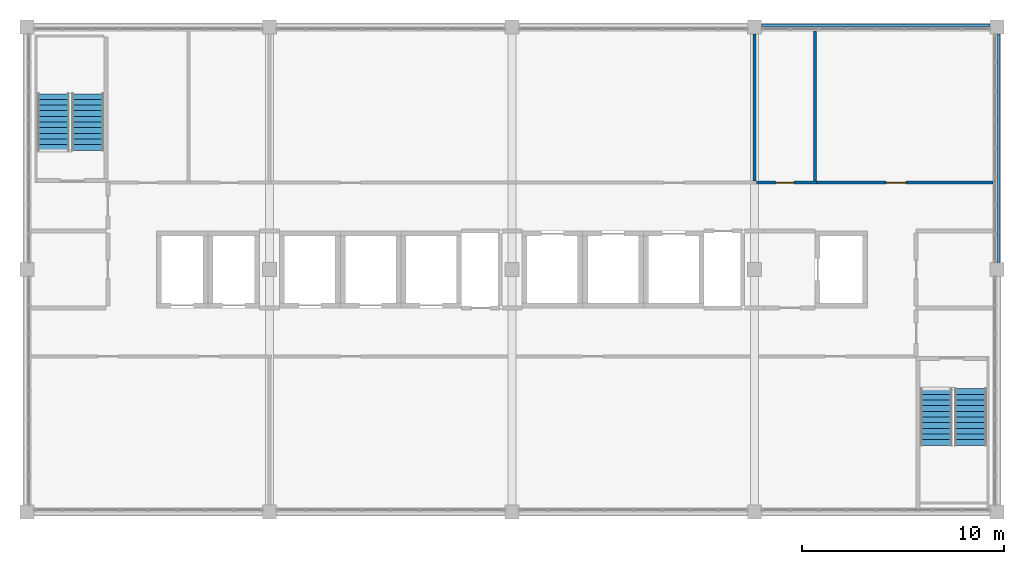
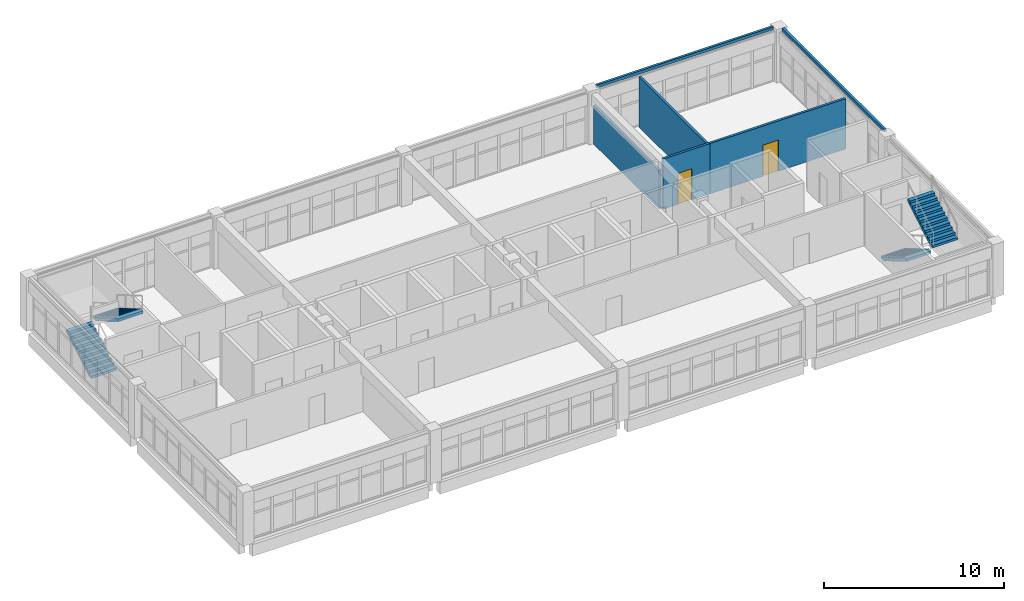
# One storey, part 15 of 16: 6 walls, 4 stair flights, 2 doors, 2 openings, 2 elements without a shape of their own.
"""IFC4 building model written with IfcOpenShell, lengths in metres."""

import ifcopenshell
import ifcopenshell.guid

model = None  # the IFC model being written
_history = None  # IfcOwnerHistory: only IFC2X3 demands one
_inside = {}  # id of a spatial element -> (the spatial element, [elements in it])
_under = {}  # id of a project, library or spatial element -> (it, [spatial elements below it])
_declared = {}  # id of a project -> (the project, [libraries it declares])
_typed = {}  # id of a type object -> (the type object, [elements of that type])
_made_of = {}  # id of a material, layer set ... -> (it, [elements and type objects made of it])


def new_model(schema):
    """Start an empty IFC model of exactly this schema.

    Asked for "IFC4X3", IfcOpenShell would pick the latest addendum, in which some entities
    have other attributes; the version numbers below select the first issue.
    IFC2X3 requires an IfcOwnerHistory on every rooted entity: one is made here for all.
    """
    global model, _history
    if schema == "IFC4X3":
        model = ifcopenshell.file(schema_version=(4, 3, 0, 0))
    else:
        model = ifcopenshell.file(schema=schema)
    _inside.clear()
    _under.clear()
    _declared.clear()
    _typed.clear()
    _made_of.clear()
    _history = None
    if model.schema == "IFC2X3":
        org = make("IfcOrganization", Name="unknown")
        user = make(
            "IfcPersonAndOrganization",
            ThePerson=make("IfcPerson", FamilyName="unknown"),
            TheOrganization=org,
        )
        app = make(
            "IfcApplication",
            ApplicationDeveloper=org,
            Version="unknown",
            ApplicationFullName="unknown",
            ApplicationIdentifier="unknown",
        )
        _history = make(
            "IfcOwnerHistory",
            OwningUser=user,
            OwningApplication=app,
            ChangeAction="ADDED",
            CreationDate=0,
        )
    return model


def make(cls, **values):
    """One entity of the class cls with the attributes given. An attribute that is None is left unset."""
    return model.create_entity(
        cls, **{name: value for name, value in values.items() if value is not None}
    )


def rooted(cls, **values):
    """An entity with a GlobalId (a new one), such as an element, a storey or a relation."""
    return make(cls, GlobalId=ifcopenshell.guid.new(), OwnerHistory=_history, **values)


def si_unit(unit_type, name, prefix=None):
    """IfcSIUnit, for example si_unit("LENGTHUNIT", "METRE", prefix="MILLI")."""
    return make("IfcSIUnit", UnitType=unit_type, Prefix=prefix, Name=name)


def assignment(units):
    """IfcUnitAssignment: the units of a project."""
    return None if units is None else make("IfcUnitAssignment", Units=units)


def point(xyz):
    """IfcCartesianPoint."""
    return None if xyz is None else make("IfcCartesianPoint", Coordinates=xyz)


def direction(xyz):
    """IfcDirection."""
    return None if xyz is None else make("IfcDirection", DirectionRatios=xyz)


def frame(location, z_axis=None, x_axis=None):
    """IfcAxis2Placement3D, a coordinate frame: its origin and axes. An axis left out is left unset."""
    return make(
        "IfcAxis2Placement3D",
        Location=point(location),
        Axis=direction(z_axis),
        RefDirection=direction(x_axis),
    )


def frame_2d(location, x_axis=None):
    """IfcAxis2Placement2D, a coordinate frame in the plane: its origin and x axis."""
    return make(
        "IfcAxis2Placement2D", Location=point(location), RefDirection=direction(x_axis)
    )


def origin():
    """The frame at (0, 0, 0) with its axes left unset."""
    return frame((0.0, 0.0, 0.0))


def place(relative_to, where):
    """IfcLocalPlacement: puts the frame where relative to a parent placement (None: the world)."""
    return make(
        "IfcLocalPlacement", PlacementRelTo=relative_to, RelativePlacement=where
    )


def context(
    kind, dimensions, precision=None, world=None, true_north=None, identifier=None
):
    """IfcGeometricRepresentationContext, for example the 3D "Model" context."""
    return make(
        "IfcGeometricRepresentationContext",
        ContextIdentifier=identifier,
        ContextType=kind,
        CoordinateSpaceDimension=dimensions,
        Precision=precision,
        WorldCoordinateSystem=world,
        TrueNorth=true_north,
    )


def subcontext(parent, identifier, kind, view, scale=None):
    """IfcGeometricRepresentationSubContext, for example "Body" below "Model"."""
    return make(
        "IfcGeometricRepresentationSubContext",
        ContextIdentifier=identifier,
        ContextType=kind,
        ParentContext=parent,
        TargetScale=scale,
        TargetView=view,
    )


def project(units=None, contexts=None):
    """IfcProject with its units and contexts."""
    return rooted(
        "IfcProject",
        Name="project",
        RepresentationContexts=contexts,
        UnitsInContext=assignment(units),
    )


def spatial(cls, under=None, at=None, **own):
    """A site, building, storey or space (cls), placed at a placement, below another one or the project."""
    s = rooted(cls, ObjectPlacement=at, **own)
    if under is not None:
        _under.setdefault(under.id(), (under, []))[1].append(s)
    return s


def polyline(points):
    """IfcPolyline through the points."""
    return make("IfcPolyline", Points=[point(p) for p in points])


def profile(cls, at=None, kind="AREA", **sizes):
    """A parametric profile (cls). Its sizes go by their IFC names, for example OverallWidth=200.0."""
    return make(cls, ProfileType=kind, Position=at, **sizes)


def rectangle(**sizes):
    """IfcRectangleProfileDef."""
    return profile("IfcRectangleProfileDef", **sizes)


def outline(outer, holes=None, kind="AREA"):
    """IfcArbitraryClosedProfileDef: a profile drawn as a closed curve; with holes, ...WithVoids."""
    if holes is None:
        return make("IfcArbitraryClosedProfileDef", ProfileType=kind, OuterCurve=outer)
    return make(
        "IfcArbitraryProfileDefWithVoids",
        ProfileType=kind,
        OuterCurve=outer,
        InnerCurves=holes,
    )


def extrude(swept, where, along, depth):
    """IfcExtrudedAreaSolid: the profile swept, set in the frame where, extruded along a direction by depth."""
    return make(
        "IfcExtrudedAreaSolid",
        SweptArea=swept,
        Position=where,
        ExtrudedDirection=direction(along),
        Depth=depth,
    )


def shape(context_of_items, identifier, shape_type, items):
    """IfcShapeRepresentation: the items that make up one representation, for example the "Body"."""
    return make(
        "IfcShapeRepresentation",
        ContextOfItems=context_of_items,
        RepresentationIdentifier=identifier,
        RepresentationType=shape_type,
        Items=items,
    )


def material(Name=None, Category=None):
    """IfcMaterial."""
    return make("IfcMaterial", Name=Name, Category=Category)


def layer(
    of_material, thickness, ventilated=None, Name=None, Category=None, Priority=None
):
    """IfcMaterialLayer: one layer of a wall or slab, of a material (None: an air gap)."""
    return make(
        "IfcMaterialLayer",
        Material=of_material,
        LayerThickness=thickness,
        IsVentilated=ventilated,
        Name=Name,
        Category=Category,
        Priority=Priority,
    )


def layer_set(layers, Name=None):
    """IfcMaterialLayerSet."""
    return make("IfcMaterialLayerSet", MaterialLayers=layers, LayerSetName=Name)


def made_of(thing, what):
    """Note that an element or type object is made of a material, layer set ...; save() writes the relation."""
    if what is not None:
        _made_of.setdefault(what.id(), (what, []))[1].append(thing)
    return thing


def type_object(cls, material=None, **own):
    """A type object (cls), such as IfcWallType, which elements share."""
    return made_of(rooted(cls, **own), material)


def element(
    cls,
    number,
    at=None,
    inside=None,
    cuts=None,
    type_object=None,
    material=None,
    context=None,
    identifier="Body",
    shape_type=None,
    held_by="IfcProductDefinitionShape",
    body=None,
    shapes=None,
    **own,
):
    """One element of the class cls, such as IfcWall. Its Tag is "e" and its number.

    at: its placement. inside: the storey or other place that contains it. cuts: it is an
    opening in that element (IfcRelVoidsElement). A single representation is given by context,
    identifier, shape_type and body (its items); several are given by shapes. held_by: the class
    of the entity that holds the representations. save() writes the other relations.
    """
    e = rooted(cls, Tag="e%d" % number, ObjectPlacement=at, **own)
    if body is not None:
        shapes = [shape(context, identifier, shape_type, body)]
    if shapes is not None:
        e.Representation = make(held_by, Representations=shapes)
    if inside is not None:
        _inside.setdefault(inside.id(), (inside, []))[1].append(e)
    if cuts is not None:
        rooted(
            "IfcRelVoidsElement", RelatingBuildingElement=cuts, RelatedOpeningElement=e
        )
    if type_object is not None:
        _typed.setdefault(type_object.id(), (type_object, []))[1].append(e)
    return made_of(e, material)


def fill(opening, filler):
    """IfcRelFillsElement: the door or window that sits in an opening."""
    return rooted(
        "IfcRelFillsElement",
        RelatingOpeningElement=opening,
        RelatedBuildingElement=filler,
    )


def aggregate(whole, parts):
    """IfcRelAggregates: a whole, such as a stair, and the parts it consists of."""
    return rooted("IfcRelAggregates", RelatingObject=whole, RelatedObjects=parts)


def save(model, path):
    """Write the relations noted so far, then the file.

    IfcRelAggregates (storeys below a building ...), IfcRelContainedInSpatialStructure (elements
    in a storey), IfcRelDefinesByType, IfcRelAssociatesMaterial and IfcRelDeclares: one each for
    every whole, place, type object, material and project.
    """
    for whole, parts in _under.values():
        aggregate(whole, parts)
    for where, things in _inside.values():
        rooted(
            "IfcRelContainedInSpatialStructure",
            RelatedElements=things,
            RelatingStructure=where,
        )
    for kind, things in _typed.values():
        rooted("IfcRelDefinesByType", RelatedObjects=things, RelatingType=kind)
    for what, things in _made_of.values():
        rooted("IfcRelAssociatesMaterial", RelatedObjects=things, RelatingMaterial=what)
    for by, libraries in _declared.values():
        rooted("IfcRelDeclares", RelatingContext=by, RelatedDefinitions=libraries)
    model.write(path)


model = new_model("IFC4")

# Units and contexts
model_context = context("Model", 3, precision=1e-05, world=origin(), true_north=direction((0.0, 1.0)))
body_context = subcontext(model_context, "Body", "Model", "MODEL_VIEW")
ifc_project = project(units=[si_unit("LENGTHUNIT", "METRE"), si_unit("AREAUNIT", "SQUARE_METRE"), si_unit("VOLUMEUNIT", "CUBIC_METRE"), si_unit("PLANEANGLEUNIT", "RADIAN"), si_unit("MASSUNIT", "GRAM", prefix="KILO")], contexts=[model_context])

# Site, building, storey
site_placement = place(None, origin())
site = spatial("IfcSite", under=ifc_project, at=site_placement, CompositionType="ELEMENT")
building_placement = place(site_placement, origin())
building = spatial("IfcBuilding", under=site, at=building_placement, Name="Lilac Gate Convention Centre", CompositionType="ELEMENT")
storey_placement = place(building_placement, frame((0.0, 0.0, 67.800048828125)))
storey = spatial("IfcBuildingStorey", under=building, at=storey_placement, Name="L17", CompositionType="ELEMENT", Elevation=67.800048828125)

# Wall, opening, door
ifc_material_1 = material(Name="Gypsum board on steel stud", Category="steel")
ifc_layer_1 = layer(ifc_material_1, 0.14990234375)
ifc_layer_set_1 = layer_set([ifc_layer_1], Name="Gypsum board on steel stud")
wall_type_1 = type_object("IfcWallType", Name="Corridor wall 150", PredefinedType="PARTITIONING", material=ifc_layer_set_1)
wall_1_placement = place(storey_placement, frame((78.10009765625, 238.300048828125, 0.0), z_axis=(0.0, 0.0, 1.0), x_axis=(1.0, 0.0, 0.0)))
wall_1 = element("IfcWall", 1, at=wall_1_placement, inside=storey, type_object=wall_type_1, Name="Corridor wall 150 front WCA", PredefinedType="PARTITIONING", context=body_context, shape_type="SweptSolid", body=[
    extrude(rectangle(XDim=3.0, YDim=0.14990234375, at=frame_2d((1.5, 0.0))), origin(), (0.0, 0.0, 1.0), 3.39990234375),
])
opening_1_placement = place(wall_1_placement, frame((0.949951171875, 0.0, 0.0)))
opening_1 = element("IfcOpeningElement", 2, at=opening_1_placement, cuts=wall_1, Name="Opening T17-017", PredefinedType="OPENING", context=body_context, shape_type="SweptSolid", body=[
    extrude(rectangle(XDim=0.89990234375, YDim=2.10009765625, at=frame_2d((0.449951171875, 1.050048828125))), frame((0.0, 0.0849609375, 0.0), z_axis=(0.0, -1.0, 0.0), x_axis=(1.0, 0.0, 0.0)), (0.0, 0.0, 1.0), 0.169921875),
])
ifc_material_2 = material(Name="Timber", Category="wood")
door_type_1 = type_object("IfcDoorType", Name="WC door 900", OperationType="SINGLE_SWING_LEFT", PredefinedType="DOOR", material=ifc_material_2)
door_1_placement = place(opening_1_placement, origin())
door_1 = element("IfcDoor", 3, at=door_1_placement, inside=storey, type_object=door_type_1, Name="Accessible WC door", OperationType="SINGLE_SWING_LEFT", OverallHeight=2.10009765625, OverallWidth=0.89990234375, PredefinedType="DOOR", context=body_context, shape_type="SweptSolid", body=[
    extrude(rectangle(XDim=0.89990234375, YDim=2.10009765625, at=frame_2d((0.449951171875, 1.050048828125))), frame((0.0, 0.02490234375, 0.0), z_axis=(0.0, -1.0, 0.0), x_axis=(1.0, 0.0, 0.0)), (0.0, 0.0, 1.0), 0.050048828125),
])
fill(opening_1, door_1)

wall_2_placement = place(storey_placement, frame((81.10009765625, 238.300048828125, 0.0), z_axis=(0.0, 0.0, 1.0), x_axis=(1.0, 0.0, 0.0)))
wall_2 = element("IfcWall", 4, at=wall_2_placement, inside=storey, type_object=wall_type_1, Name="Corridor wall 150 front EXC", PredefinedType="PARTITIONING", context=body_context, shape_type="SweptSolid", body=[
    extrude(rectangle(XDim=8.69970703125, YDim=0.14990234375, at=frame_2d((4.349853515625, 0.0))), origin(), (0.0, 0.0, 1.0), 3.39990234375),
])
opening_2_placement = place(wall_2_placement, frame((3.39990234375, 0.0, 0.0)))
opening_2 = element("IfcOpeningElement", 5, at=opening_2_placement, cuts=wall_2, Name="Opening T17-018", PredefinedType="OPENING", context=body_context, shape_type="SweptSolid", body=[
    extrude(rectangle(XDim=1.0, YDim=2.10009765625, at=frame_2d((0.5, 1.050048828125))), frame((0.0, 0.0849609375, 0.0), z_axis=(0.0, -1.0, 0.0), x_axis=(1.0, 0.0, 0.0)), (0.0, 0.0, 1.0), 0.169921875),
])
door_type_2 = type_object("IfcDoorType", Name="Room door 1000", OperationType="SINGLE_SWING_LEFT", PredefinedType="DOOR", material=ifc_material_2)
door_2_placement = place(opening_2_placement, origin())
door_2 = element("IfcDoor", 6, at=door_2_placement, inside=storey, type_object=door_type_2, Name="Executive Club door", OperationType="SINGLE_SWING_LEFT", OverallHeight=2.10009765625, OverallWidth=1.0, PredefinedType="DOOR", context=body_context, shape_type="SweptSolid", body=[
    extrude(rectangle(XDim=1.0, YDim=2.10009765625, at=frame_2d((0.5, 1.050048828125))), frame((0.0, 0.02490234375, 0.0), z_axis=(0.0, -1.0, 0.0), x_axis=(1.0, 0.0, 0.0)), (0.0, 0.0, 1.0), 0.050048828125),
])
fill(opening_2, door_2)

# Walls
ifc_material_3 = material(Name="Concrete C40 precast", Category="concrete")
ifc_layer_2 = layer(ifc_material_3, 0.1298828125)
ifc_material_4 = material(Name="Teal glazed cladding")
ifc_layer_3 = layer(ifc_material_4, 0.02001953125)
ifc_layer_set_2 = layer_set([ifc_layer_2, ifc_layer_3], Name="Concrete C40 precast, Teal glazed cladding")
wall_type_2 = type_object("IfcWallType", Name="Precast band teal 150", PredefinedType="STANDARD", material=ifc_layer_set_2)
for number, where, z_axis, x_axis, name in (
    (7, (90.074951171875, 234.35009765625, 3.39990234375), (0.0, 0.0, 1.0), (0.0, 1.0, 0.0), "Precast band E L17 2"),
    (8, (89.64990234375, 246.074951171875, 3.39990234375), (0.0, 0.0, 1.0), (-1.0, 0.0, 0.0), "Precast band N L17 1"),
):
    element("IfcWall", number, at=place(storey_placement, frame(where, z_axis=z_axis, x_axis=x_axis)), inside=storey, type_object=wall_type_2, Name=name, PredefinedType="STANDARD", context=body_context, shape_type="SweptSolid", body=[
        extrude(rectangle(XDim=11.2998046875, YDim=0.14990234375, at=frame_2d((5.64990234375, 0.0))), origin(), (0.0, 0.0, 1.0), 0.199951171875),
    ])
ifc_layer_4 = layer(ifc_material_1, 0.14990234375)
ifc_layer_set_3 = layer_set([ifc_layer_4], Name="Gypsum board on steel stud")
wall_type_3 = type_object("IfcWallType", Name="Room partition 150", PredefinedType="PARTITIONING", material=ifc_layer_set_3)
wall_3_placement = place(storey_placement, frame((78.0, 245.64990234375, 0.0), z_axis=(0.0, 0.0, 1.0), x_axis=(0.0, -1.0, 0.0)))
element("IfcWall", 9, at=wall_3_placement, inside=storey, type_object=wall_type_3, Name="Room partition 150 part WCA", PredefinedType="PARTITIONING", context=body_context, shape_type="SweptSolid", body=[
    extrude(rectangle(XDim=7.27490234375, YDim=0.14990234375, at=frame_2d((3.637451171875, 0.0))), origin(), (0.0, 0.0, 1.0), 2.599853515625),
])
wall_4_placement = place(storey_placement, frame((81.0, 245.7998046875, 0.0), z_axis=(0.0, 0.0, 1.0), x_axis=(0.0, -1.0, 0.0)))
element("IfcWall", 10, at=wall_4_placement, inside=storey, type_object=wall_type_3, Name="Room partition 150 part EXC", PredefinedType="PARTITIONING", context=body_context, shape_type="SweptSolid", body=[
    extrude(rectangle(XDim=7.4248046875, YDim=0.14990234375, at=frame_2d((3.71240234375, 0.0))), origin(), (0.0, 0.0, 1.0), 3.39990234375),
])

# Stair, stair flights
ifc_material_5 = material(Name="Concrete C40", Category="concrete")
stair_type = type_object("IfcStairType", Name="Exit stair", PredefinedType="DOUBLE_RETURN_STAIR", material=ifc_material_5)
stair_1_placement = place(storey_placement, origin())
stair_1 = element("IfcStair", 11, at=stair_1_placement, inside=storey, type_object=stair_type, Name="Exit stair NW L17", PredefinedType="DOUBLE_RETURN_STAIR")
stair_flight_type = type_object("IfcStairFlightType", Name="Exit stair flight", PredefinedType="STRAIGHT", material=ifc_material_5)
stair_flight_1_placement = place(storey_placement, frame((43.300048828125, 239.89990234375, 0.0), z_axis=(0.0, 0.0, 1.0), x_axis=(0.0, 1.0, 0.0)))
stair_flight_1 = element("IfcStairFlight", 12, at=stair_flight_1_placement, type_object=stair_flight_type, Name="ST-NW flight 1", NumberOfRisers=11, NumberOfTreads=10, PredefinedType="STRAIGHT", RiserHeight=0.163636364, TreadLength=0.28, context=body_context, shape_type="SweptSolid", body=[
    extrude(outline(polyline([(0.0, 0.0), (0.0, 0.16357421875), (0.280029296875, 0.16357421875), (0.280029296875, 0.327392578125), (0.56005859375, 0.327392578125), (0.56005859375, 0.490966796875), (0.840087890625, 0.490966796875), (0.840087890625, 0.654541015625), (1.1201171875, 0.654541015625), (1.1201171875, 0.818115234375), (1.39990234375, 0.818115234375), (1.39990234375, 0.98193359375), (1.679931640625, 0.98193359375), (1.679931640625, 1.1455078125), (1.9599609375, 1.1455078125), (1.9599609375, 1.30908203125), (2.239990234375, 1.30908203125), (2.239990234375, 1.47265625), (2.52001953125, 1.47265625), (2.52001953125, 1.636474609375), (2.800048828125, 1.636474609375), (2.800048828125, 1.800048828125), (2.800048828125, 1.462646484375), (0.297119140625, 0.0), (0.0, 0.0)])), frame((0.0, 0.800048828125, 0.0), z_axis=(0.0, -1.0, 0.0), x_axis=(1.0, 0.0, 0.0)), (0.0, 0.0, 1.0), 1.60009765625),
])
stair_flight_2_placement = place(storey_placement, frame((45.0, 242.699951171875, 1.800048828125), z_axis=(0.0, 0.0, 1.0), x_axis=(0.0, -1.0, 0.0)))
stair_flight_2 = element("IfcStairFlight", 13, at=stair_flight_2_placement, type_object=stair_flight_type, Name="ST-NW flight 2", NumberOfRisers=11, NumberOfTreads=10, PredefinedType="STRAIGHT", RiserHeight=0.163636364, TreadLength=0.28, context=body_context, shape_type="SweptSolid", body=[
    extrude(outline(polyline([(0.0, 0.0), (0.0, 0.16357421875), (0.280029296875, 0.16357421875), (0.280029296875, 0.327392578125), (0.56005859375, 0.327392578125), (0.56005859375, 0.490966796875), (0.840087890625, 0.490966796875), (0.840087890625, 0.654541015625), (1.1201171875, 0.654541015625), (1.1201171875, 0.818115234375), (1.39990234375, 0.818115234375), (1.39990234375, 0.98193359375), (1.679931640625, 0.98193359375), (1.679931640625, 1.1455078125), (1.9599609375, 1.1455078125), (1.9599609375, 1.30908203125), (2.239990234375, 1.30908203125), (2.239990234375, 1.47265625), (2.52001953125, 1.47265625), (2.52001953125, 1.636474609375), (2.800048828125, 1.636474609375), (2.800048828125, 1.800048828125), (2.800048828125, 1.462646484375), (0.297119140625, 0.0), (0.0, 0.0)])), frame((0.0, 0.800048828125, 0.0), z_axis=(0.0, -1.0, 0.0), x_axis=(1.0, 0.0, 0.0)), (0.0, 0.0, 1.0), 1.60009765625),
])
aggregate(stair_1, [stair_flight_1, stair_flight_2])

stair_2_placement = place(storey_placement, origin())
stair_2 = element("IfcStair", 14, at=stair_2_placement, inside=storey, type_object=stair_type, Name="Exit stair SE L17", PredefinedType="DOUBLE_RETURN_STAIR")
stair_flight_3_placement = place(storey_placement, frame((87.0, 228.10009765625, 0.0), z_axis=(0.0, 0.0, 1.0), x_axis=(0.0, -1.0, 0.0)))
stair_flight_3 = element("IfcStairFlight", 15, at=stair_flight_3_placement, type_object=stair_flight_type, Name="ST-SE flight 1", NumberOfRisers=11, NumberOfTreads=10, PredefinedType="STRAIGHT", RiserHeight=0.163636364, TreadLength=0.28, context=body_context, shape_type="SweptSolid", body=[
    extrude(outline(polyline([(0.0, 0.0), (0.0, 0.16357421875), (0.280029296875, 0.16357421875), (0.280029296875, 0.327392578125), (0.56005859375, 0.327392578125), (0.56005859375, 0.490966796875), (0.840087890625, 0.490966796875), (0.840087890625, 0.654541015625), (1.1201171875, 0.654541015625), (1.1201171875, 0.818115234375), (1.39990234375, 0.818115234375), (1.39990234375, 0.98193359375), (1.679931640625, 0.98193359375), (1.679931640625, 1.1455078125), (1.9599609375, 1.1455078125), (1.9599609375, 1.30908203125), (2.239990234375, 1.30908203125), (2.239990234375, 1.47265625), (2.52001953125, 1.47265625), (2.52001953125, 1.636474609375), (2.800048828125, 1.636474609375), (2.800048828125, 1.800048828125), (2.800048828125, 1.462646484375), (0.297119140625, 0.0), (0.0, 0.0)])), frame((0.0, 0.800048828125, 0.0), z_axis=(0.0, -1.0, 0.0), x_axis=(1.0, 0.0, 0.0)), (0.0, 0.0, 1.0), 1.60009765625),
])
stair_flight_4_placement = place(storey_placement, frame((88.699951171875, 225.300048828125, 1.800048828125), z_axis=(0.0, 0.0, 1.0), x_axis=(0.0, 1.0, 0.0)))
stair_flight_4 = element("IfcStairFlight", 16, at=stair_flight_4_placement, type_object=stair_flight_type, Name="ST-SE flight 2", NumberOfRisers=11, NumberOfTreads=10, PredefinedType="STRAIGHT", RiserHeight=0.163636364, TreadLength=0.28, context=body_context, shape_type="SweptSolid", body=[
    extrude(outline(polyline([(0.0, 0.0), (0.0, 0.16357421875), (0.280029296875, 0.16357421875), (0.280029296875, 0.327392578125), (0.56005859375, 0.327392578125), (0.56005859375, 0.490966796875), (0.840087890625, 0.490966796875), (0.840087890625, 0.654541015625), (1.1201171875, 0.654541015625), (1.1201171875, 0.818115234375), (1.39990234375, 0.818115234375), (1.39990234375, 0.98193359375), (1.679931640625, 0.98193359375), (1.679931640625, 1.1455078125), (1.9599609375, 1.1455078125), (1.9599609375, 1.30908203125), (2.239990234375, 1.30908203125), (2.239990234375, 1.47265625), (2.52001953125, 1.47265625), (2.52001953125, 1.636474609375), (2.800048828125, 1.636474609375), (2.800048828125, 1.800048828125), (2.800048828125, 1.462646484375), (0.297119140625, 0.0), (0.0, 0.0)])), frame((0.0, 0.800048828125, 0.0), z_axis=(0.0, -1.0, 0.0), x_axis=(1.0, 0.0, 0.0)), (0.0, 0.0, 1.0), 1.60009765625),
])
aggregate(stair_2, [stair_flight_3, stair_flight_4])

save(model, "model.ifc")
